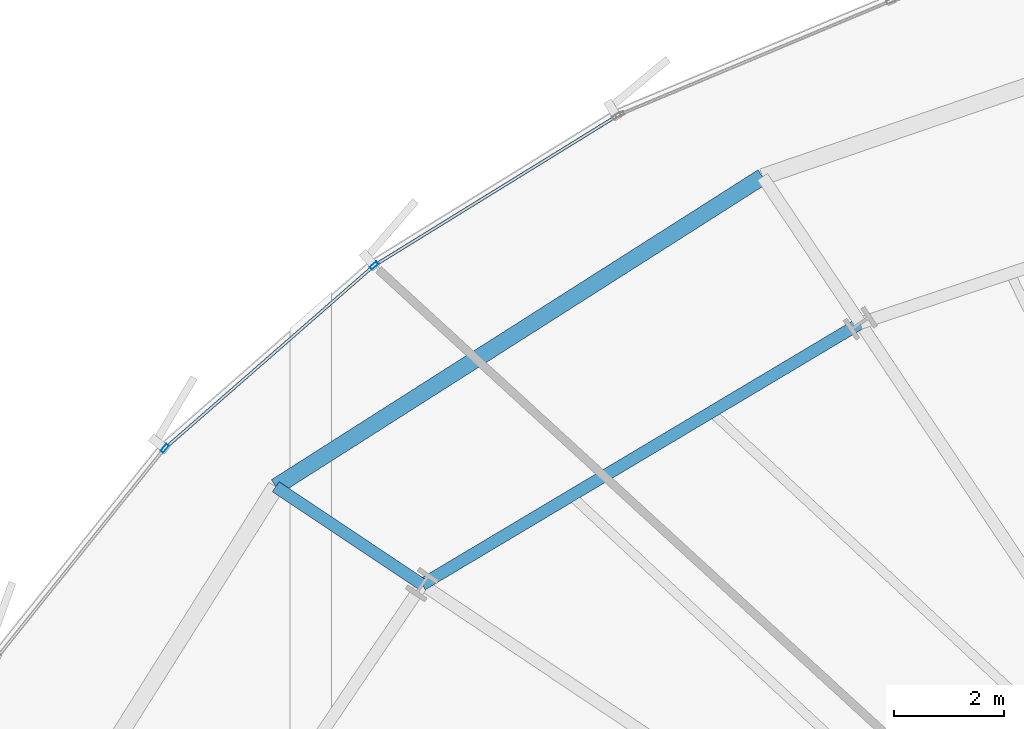
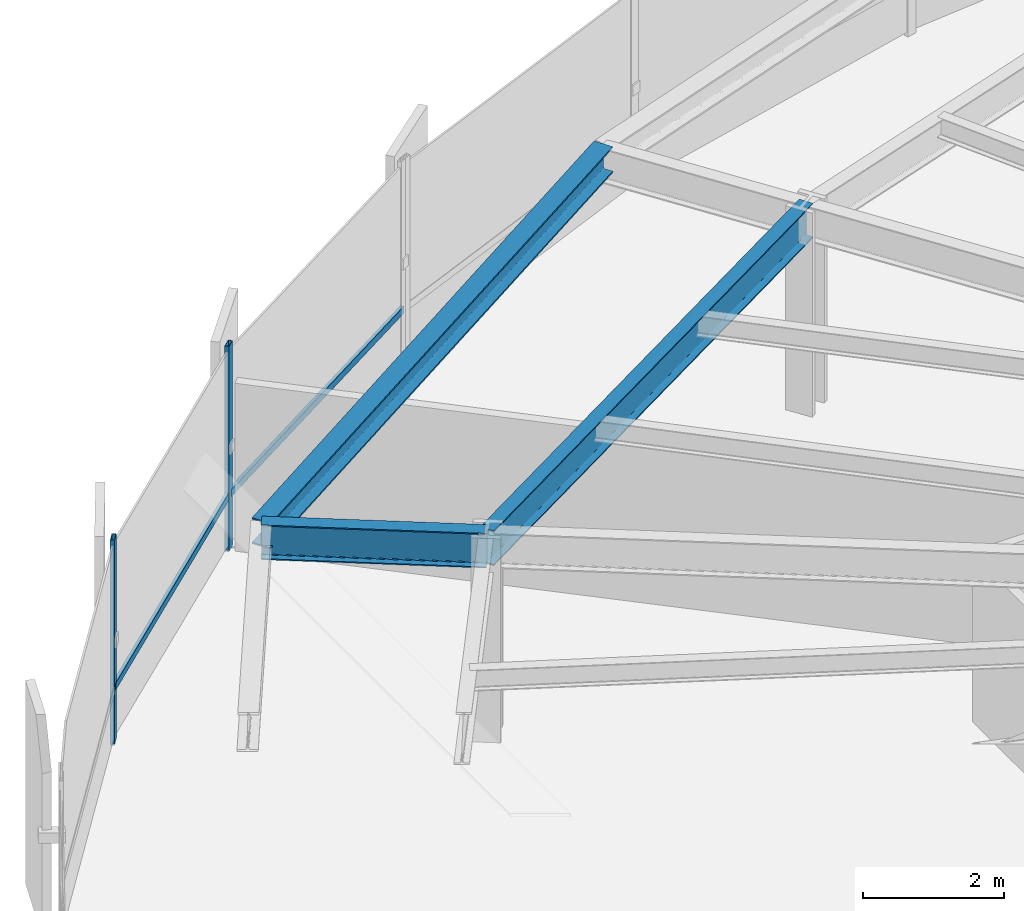
# One storey, part 22 of 42: 4 members, 3 beams, 1 element without a shape of its own.
"""IFC4 building model written with IfcOpenShell, lengths in metres."""

from ifc_helpers import new_model, si_unit, direction, frame, origin, origin_2d, place, context, subcontext, project, spatial, hollow_rectangle, i_section, extrude, source, transform, mapped, material, layer, layer_set, material_profile, profile_set, type_object, element, aggregate, save


model = new_model("IFC4")

# Units and contexts
model_context = context("Model", 3, precision=1e-05, world=origin(), true_north=direction((0.0, 1.0)))
body_context = subcontext(model_context, "Body", "Model", "MODEL_VIEW")
ifc_project = project(units=[si_unit("LENGTHUNIT", "METRE"), si_unit("AREAUNIT", "SQUARE_METRE"), si_unit("VOLUMEUNIT", "CUBIC_METRE"), si_unit("PLANEANGLEUNIT", "RADIAN"), si_unit("MASSUNIT", "GRAM", prefix="KILO"), si_unit("THERMODYNAMICTEMPERATUREUNIT", "KELVIN")], contexts=[model_context])

# Site, building, storey
site_placement = place(None, origin())
site = spatial("IfcSite", under=ifc_project, at=site_placement, CompositionType="ELEMENT")
building_placement = place(site_placement, origin())
building = spatial("IfcBuilding", under=site, at=building_placement, Name="Kethvar Cultural Tower", CompositionType="ELEMENT")
storey_placement = place(building_placement, frame((0.0, 0.0, 37.199951171875)))
storey = spatial("IfcBuildingStorey", under=building, at=storey_placement, Name="L08", CompositionType="ELEMENT", Elevation=37.199951171875)

# Beams
ifc_material_1 = material(Name="Steel S355J2", Category="steel")
ifc_material_profile_1 = material_profile(ifc_material_1, i_section(OverallWidth=0.219970703125, OverallDepth=0.60009765625, WebThickness=0.011962890625, FlangeThickness=0.01904296875, FilletRadius=0.02392578125, at=origin_2d()), Name="Steel S355J2 — IPE600")
ifc_profile_set_1 = profile_set([ifc_material_profile_1], Name="Steel S355J2 — IPE600")
beam_type_1 = type_object("IfcBeamType", Name="BM-IPE600", PredefinedType="BEAM", material=ifc_profile_set_1)
shared_shape_1 = source(origin(), body_context, "Body", "SweptSolid", [
    extrude(i_section(OverallWidth=0.219970703125, OverallDepth=0.60009765625, WebThickness=0.011962890625, FlangeThickness=0.01904296875, FilletRadius=0.02392578125, at=origin_2d()), origin(), (0.0, 0.0, 1.0), 3.199951171875),
])
beam_1_placement = place(storey_placement, frame((26.6845703125, 41.24072265625, 3.248046875), z_axis=(-0.831462943996, 0.555580212716, 0.0), x_axis=(-0.555580212716, -0.831462943996, 0.0)))
element("IfcBeam", 1, at=beam_1_placement, inside=storey, type_object=beam_type_1, Name="L08 Perimeter Cantilever Beam RC-07", PredefinedType="BEAM", context=body_context, shape_type="MappedRepresentation", body=[
    mapped(shared_shape_1, transform((0.0, 0.0, 0.0), scale=1.0)),
])
shared_shape_2 = source(origin(), body_context, "Body", "SweptSolid", [
    extrude(i_section(OverallWidth=0.219970703125, OverallDepth=0.60009765625, WebThickness=0.011962890625, FlangeThickness=0.01904296875, FilletRadius=0.02392578125, at=origin_2d()), origin(), (0.0, 0.0, 1.0), 9.270263671875),
])
beam_2_placement = place(storey_placement, frame((34.64599609375, 45.98974609375, 3.248046875), z_axis=(-0.858814626354, -0.51228647997, 0.0), x_axis=(0.51228647997, -0.858814626354, 0.0)))
element("IfcBeam", 2, at=beam_2_placement, inside=storey, type_object=beam_type_1, Name="L08 Column Ring Tie Beam CR-06", PredefinedType="BEAM", context=body_context, shape_type="MappedRepresentation", body=[
    mapped(shared_shape_2, transform((0.0, 0.0, 0.0), scale=1.0)),
])
ifc_material_profile_2 = material_profile(ifc_material_1, i_section(OverallWidth=0.300048828125, OverallDepth=0.449951171875, WebThickness=0.013916015625, FlangeThickness=0.02587890625, FilletRadius=0.027099609375, at=origin_2d()), Name="Steel S355J2 — HEB450")
ifc_profile_set_2 = profile_set([ifc_material_profile_2], Name="Steel S355J2 — HEB450")
beam_type_2 = type_object("IfcBeamType", Name="BM-SP450", PredefinedType="SPANDREL", material=ifc_profile_set_2)
shared_shape_3 = source(origin(), body_context, "Body", "SweptSolid", [
    extrude(i_section(OverallWidth=0.300048828125, OverallDepth=0.449951171875, WebThickness=0.013916015625, FlangeThickness=0.02587890625, FilletRadius=0.027099609375, at=origin_2d()), origin(), (0.0, 0.0, 1.0), 10.485107421875),
])
beam_3_placement = place(storey_placement, frame((32.8681640625, 48.650390625, 3.322998046875), z_axis=(-0.843502294633, -0.537125570932, 0.0), x_axis=(0.537125570932, -0.843502294633, 0.0)))
element("IfcBeam", 3, at=beam_3_placement, inside=storey, type_object=beam_type_2, Name="L08 Perimeter Spandrel Beam SP-06", PredefinedType="SPANDREL", context=body_context, shape_type="MappedRepresentation", body=[
    mapped(shared_shape_3, transform((0.0, 0.0, 0.0), scale=1.0)),
])

# Curtain wall, members
ifc_material_2 = material(Name="Aluminium 6063-T6", Category="aluminium")
ifc_layer = layer(ifc_material_2, 0.179931640625, Name="Aluminium 6063-T6", Category="aluminium")
ifc_layer_set = layer_set([ifc_layer], Name="Aluminium 6063-T6 (180 mm)")
curtain_wall_type = type_object("IfcCurtainWallType", Name="CW-SYS-02-Z1", PredefinedType="NOTDEFINED", material=ifc_layer_set)
curtain_wall_placement = place(storey_placement, origin())
curtain_wall = element("IfcCurtainWall", 4, at=curtain_wall_placement, inside=storey, type_object=curtain_wall_type, Name="L08 Curtain Wall Run 03", PredefinedType="NOTDEFINED")
ifc_material_profile_3 = material_profile(ifc_material_2, hollow_rectangle(XDim=0.06494140625, YDim=0.159912109375, WallThickness=0.0048828125, at=origin_2d()), Name="Aluminium 6063-T6 — RHS160x65x5")
ifc_profile_set_3 = profile_set([ifc_material_profile_3], Name="Aluminium 6063-T6 — RHS160x65x5")
member_type_1 = type_object("IfcMemberType", Name="CW-SYS-02-Z1-MUL", PredefinedType="MULLION", material=ifc_profile_set_3)
shared_shape_4 = source(origin(), body_context, "Body", "SweptSolid", [
    extrude(hollow_rectangle(XDim=0.06494140625, YDim=0.159912109375, WallThickness=0.0048828125, at=origin_2d()), origin(), (0.0, 0.0, 1.0), 3.550048828125),
])
member_1_placement = place(storey_placement, frame((25.810302734375, 47.03759765625, 0.0), z_axis=(0.0, 0.0, 1.0), x_axis=(0.657966890287, -0.753046858626, 0.0)))
member_1 = element("IfcMember", 5, at=member_1_placement, type_object=member_type_1, Name="CW-L08-R03 Mullion 2", PredefinedType="MULLION", context=body_context, shape_type="MappedRepresentation", body=[
    mapped(shared_shape_4, transform((0.0, 0.0, 0.0), scale=1.0)),
])
member_2_placement = place(storey_placement, frame((22.006103515625, 43.716552734375, 0.0), z_axis=(0.0, 0.0, 1.0), x_axis=(0.780408581777, -0.625269898115, 0.0)))
member_2 = element("IfcMember", 6, at=member_2_placement, type_object=member_type_1, Name="CW-L08-R03 Mullion 3", PredefinedType="MULLION", context=body_context, shape_type="MappedRepresentation", body=[
    mapped(shared_shape_4, transform((0.0, 0.0, 0.0), scale=1.0)),
])
ifc_material_profile_4 = material_profile(ifc_material_2, hollow_rectangle(XDim=0.054931640625, YDim=0.1201171875, WallThickness=0.00390625, at=origin_2d()), Name="Aluminium 6063-T6 — RHS120x55x4")
ifc_profile_set_4 = profile_set([ifc_material_profile_4], Name="Aluminium 6063-T6 — RHS120x55x4")
member_type_2 = type_object("IfcMemberType", Name="CW-SYS-02-Z1-TRN", PredefinedType="USERDEFINED", material=ifc_profile_set_4)
shared_shape_5 = source(origin(), body_context, "Body", "SweptSolid", [
    extrude(hollow_rectangle(XDim=0.054931640625, YDim=0.1201171875, WallThickness=0.00390625, at=origin_2d()), origin(), (0.0, 0.0, 1.0), 5.14453125),
])
member_3_placement = place(storey_placement, frame((30.213134765625, 49.75048828125, 0.949951171875), z_axis=(-0.851216450536, -0.524814780982, 0.0), x_axis=(0.524814780982, -0.851216450536, 0.0)))
member_3 = element("IfcMember", 7, at=member_3_placement, type_object=member_type_2, Name="CW-L08-R03 Transom 1", ObjectType="TRANSOM", PredefinedType="USERDEFINED", context=body_context, shape_type="MappedRepresentation", body=[
    mapped(shared_shape_5, transform((0.0, 0.0, 0.0), scale=1.0)),
])
shared_shape_6 = source(origin(), body_context, "Body", "SweptSolid", [
    extrude(hollow_rectangle(XDim=0.054931640625, YDim=0.1201171875, WallThickness=0.00390625, at=origin_2d()), origin(), (0.0, 0.0, 1.0), 4.977294921875),
])
member_4_placement = place(storey_placement, frame((25.77490234375, 47.0068359375, 0.949951171875), z_axis=(-0.753059609731, -0.657952296289, 0.0), x_axis=(0.657952296289, -0.753059609731, 0.0)))
member_4 = element("IfcMember", 8, at=member_4_placement, type_object=member_type_2, Name="CW-L08-R03 Transom 2", ObjectType="TRANSOM", PredefinedType="USERDEFINED", context=body_context, shape_type="MappedRepresentation", body=[
    mapped(shared_shape_6, transform((0.0, 0.0, 0.0), scale=1.0)),
])
aggregate(curtain_wall, [member_1, member_2, member_3, member_4])

save(model, "model.ifc")
